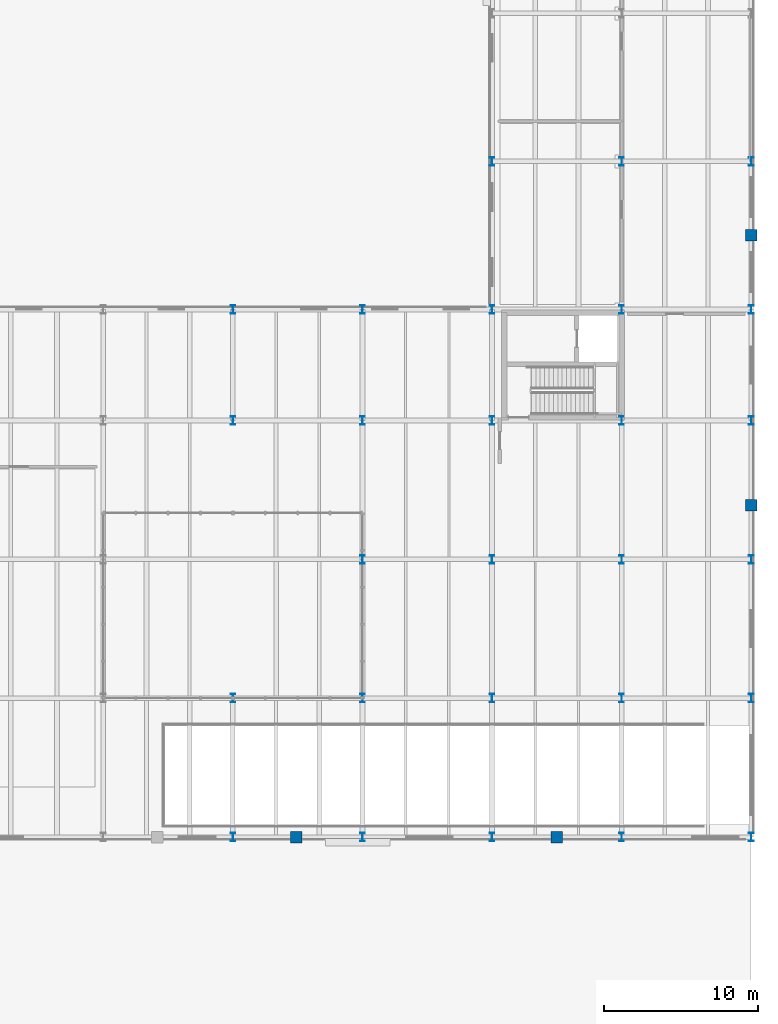
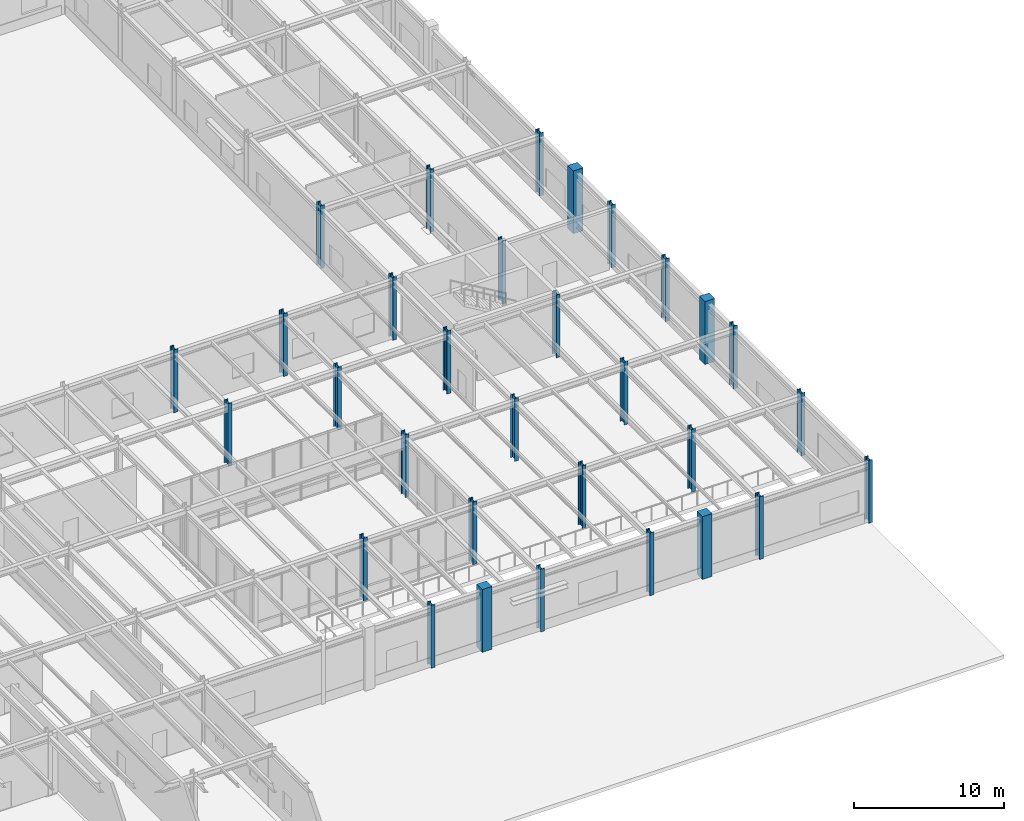
# One storey, part 15 of 64: 31 columns.
"""IFC4 building model written with IfcOpenShell, lengths in metres."""

from ifc_helpers import new_model, si_unit, direction, frame, origin, origin_2d, place, context, subcontext, project, spatial, rectangle, i_section, extrude, material, material_profile, profile_set, type_object, element, save


model = new_model("IFC4")

# Units and contexts
model_context = context("Model", 3, precision=1e-05, world=origin(), true_north=direction((0.0, 1.0)))
body_context = subcontext(model_context, "Body", "Model", "MODEL_VIEW")
ifc_project = project(units=[si_unit("LENGTHUNIT", "METRE"), si_unit("AREAUNIT", "SQUARE_METRE"), si_unit("VOLUMEUNIT", "CUBIC_METRE"), si_unit("PLANEANGLEUNIT", "RADIAN"), si_unit("MASSUNIT", "GRAM", prefix="KILO")], contexts=[model_context])

# Site, building, storey
site_placement = place(None, origin())
site = spatial("IfcSite", under=ifc_project, at=site_placement, CompositionType="ELEMENT")
building_placement = place(site_placement, origin())
building = spatial("IfcBuilding", under=site, at=building_placement, Name="Montealbar Specialist Clinic", CompositionType="ELEMENT")
storey_placement = place(building_placement, origin())
storey = spatial("IfcBuildingStorey", under=building, at=storey_placement, Name="L00", CompositionType="ELEMENT", Elevation=0.0)

# Columns
ifc_material_1 = material(Name="Steel S355", Category="steel")
ifc_material_profile_1 = material_profile(ifc_material_1, i_section(OverallWidth=0.300048828125, OverallDepth=0.550048828125, WebThickness=0.014892578125, FlangeThickness=0.029052734375, FilletRadius=0.027099609375, at=origin_2d()), Name="HEB 550", Category="steel")
ifc_profile_set_1 = profile_set([ifc_material_profile_1], Name="Steel S355")
column_type_1 = type_object("IfcColumnType", Name="COL-S-L00-HVY", PredefinedType="COLUMN", material=ifc_profile_set_1)
for number, where, z_axis, x_axis, name in (
    (1, (128.39990234375, 45.0, 0.0), (0.0, 0.0, 1.0), (1.0, 0.0, 0.0), "Column 17/F L00"),
    (2, (136.800048828125, 45.0, 0.0), (0.0, 0.0, 1.0), (1.0, 0.0, 0.0), "Column 18/F L00"),
    (3, (145.199951171875, 27.0, 0.0), (0.0, 0.0, 1.0), (1.0, 0.0, 0.0), "Column 19/D L00"),
    (4, (145.199951171875, 36.0, 0.0), (0.0, 0.0, 1.0), (1.0, 0.0, 0.0), "Column 19/E L00"),
    (5, (145.199951171875, 45.0, 0.0), (0.0, 0.0, 1.0), (1.0, 0.0, 0.0), "Column 19/F L00"),
    (6, (153.60009765625, 27.0, 0.0), (0.0, 0.0, 1.0), (1.0, 0.0, 0.0), "Column 20/D L00"),
    (7, (153.60009765625, 36.0, 0.0), (0.0, 0.0, 1.0), (1.0, 0.0, 0.0), "Column 20/E L00"),
    (8, (153.60009765625, 45.0, 0.0), (0.0, 0.0, 1.0), (1.0, 0.0, 0.0), "Column 20/F L00"),
    (9, (153.60009765625, 52.199951171875, 0.0), (0.0, 0.0, 1.0), (1.0, 0.0, 0.0), "Column 20/G L00"),
    (10, (153.60009765625, 61.800048828125, 0.0), (0.0, 0.0, 1.0), (1.0, 0.0, 0.0), "Column 20/H L00"),
):
    element("IfcColumn", number, at=place(storey_placement, frame(where, z_axis=z_axis, x_axis=x_axis)), inside=storey, type_object=column_type_1, Name=name, PredefinedType="COLUMN", context=body_context, shape_type="SweptSolid", body=[
        extrude(i_section(OverallWidth=0.300048828125, OverallDepth=0.550048828125, WebThickness=0.014892578125, FlangeThickness=0.029052734375, FilletRadius=0.027099609375, at=origin_2d()), origin(), (0.0, 0.0, 1.0), 5.10009765625),
    ])
ifc_material_profile_2 = material_profile(ifc_material_1, i_section(OverallWidth=0.300048828125, OverallDepth=0.550048828125, WebThickness=0.014892578125, FlangeThickness=0.029052734375, FilletRadius=0.027099609375, at=origin_2d()), Name="HEB 550", Category="steel")
ifc_profile_set_2 = profile_set([ifc_material_profile_2], Name="Steel S355")
column_type_2 = type_object("IfcColumnType", Name="COL-S-L00-HVY-EXT", PredefinedType="COLUMN", material=ifc_profile_set_2)
for number, where, z_axis, x_axis, name in (
    (11, (128.39990234375, 18.0, 0.0), (0.0, 0.0, 1.0), (1.0, 0.0, 0.0), "Column 17/C L00"),
    (12, (128.39990234375, 27.0, 0.0), (0.0, 0.0, 1.0), (1.0, 0.0, 0.0), "Column 17/D L00"),
    (13, (128.39990234375, 52.199951171875, 0.0), (0.0, 0.0, 1.0), (1.0, 0.0, 0.0), "Column 17/G L00"),
    (14, (136.800048828125, 18.0, 0.0), (0.0, 0.0, 1.0), (1.0, 0.0, 0.0), "Column 18/C L00"),
    (15, (136.800048828125, 27.0, 0.0), (0.0, 0.0, 1.0), (1.0, 0.0, 0.0), "Column 18/D L00"),
    (16, (136.800048828125, 36.0, 0.0), (0.0, 0.0, 1.0), (1.0, 0.0, 0.0), "Column 18/E L00"),
    (17, (136.800048828125, 52.199951171875, 0.0), (0.0, 0.0, 1.0), (1.0, 0.0, 0.0), "Column 18/G L00"),
    (18, (145.199951171875, 18.0, 0.0), (0.0, 0.0, 1.0), (1.0, 0.0, 0.0), "Column 19/C L00"),
    (19, (145.199951171875, 52.199951171875, 0.0), (0.0, 0.0, 1.0), (1.0, 0.0, 0.0), "Column 19/G L00"),
    (20, (145.199951171875, 61.800048828125, 0.0), (0.0, 0.0, 1.0), (1.0, 0.0, 0.0), "Column 19/H L00"),
    (21, (153.60009765625, 18.0, 0.0), (0.0, 0.0, 1.0), (1.0, 0.0, 0.0), "Column 20/C L00"),
    (22, (162.0, 18.0, 0.0), (0.0, 0.0, 1.0), (1.0, 0.0, 0.0), "Column 21/C L00"),
    (23, (162.0, 27.0, 0.0), (0.0, 0.0, 1.0), (1.0, 0.0, 0.0), "Column 21/D L00"),
    (24, (162.0, 36.0, 0.0), (0.0, 0.0, 1.0), (1.0, 0.0, 0.0), "Column 21/E L00"),
    (25, (162.0, 45.0, 0.0), (0.0, 0.0, 1.0), (1.0, 0.0, 0.0), "Column 21/F L00"),
    (26, (162.0, 52.199951171875, 0.0), (0.0, 0.0, 1.0), (1.0, 0.0, 0.0), "Column 21/G L00"),
    (27, (162.0, 61.800048828125, 0.0), (0.0, 0.0, 1.0), (1.0, 0.0, 0.0), "Column 21/H L00"),
):
    element("IfcColumn", number, at=place(storey_placement, frame(where, z_axis=z_axis, x_axis=x_axis)), inside=storey, type_object=column_type_2, Name=name, PredefinedType="COLUMN", context=body_context, shape_type="SweptSolid", body=[
        extrude(i_section(OverallWidth=0.300048828125, OverallDepth=0.550048828125, WebThickness=0.014892578125, FlangeThickness=0.029052734375, FilletRadius=0.027099609375, at=origin_2d()), origin(), (0.0, 0.0, 1.0), 5.10009765625),
    ])
ifc_material_2 = material(Name="Guadarrama granite ashlar", Category="masonry")
ifc_material_profile_3 = material_profile(ifc_material_2, rectangle(XDim=0.75, YDim=0.75, at=origin_2d()), Name="GRANITE PILASTER 750x750", Category="masonry")
ifc_profile_set_3 = profile_set([ifc_material_profile_3], Name="Guadarrama granite ashlar")
column_type_3 = type_object("IfcColumnType", Name="PIL-PM-GIANT-EXT", PredefinedType="PILASTER", material=ifc_profile_set_3)
for number, where, z_axis, x_axis, name in (
    (28, (132.5, 18.0, 0.0), (0.0, 0.0, 1.0), (1.0, 0.0, 0.0), "Column SP2/C L00"),
    (29, (149.39990234375, 18.0, 0.0), (0.0, 0.0, 1.0), (1.0, 0.0, 0.0), "Column SP3/C L00"),
    (30, (162.0, 39.5, 0.0), (0.0, 0.0, 1.0), (1.0, 0.0, 0.0), "Column EP1/DE L00"),
    (31, (162.0, 57.0, 0.0), (0.0, 0.0, 1.0), (1.0, 0.0, 0.0), "Column EP2/GH L00"),
):
    element("IfcColumn", number, at=place(storey_placement, frame(where, z_axis=z_axis, x_axis=x_axis)), inside=storey, type_object=column_type_3, Name=name, PredefinedType="PILASTER", context=body_context, shape_type="SweptSolid", body=[
        extrude(rectangle(XDim=0.75, YDim=0.75, at=origin_2d()), origin(), (0.0, 0.0, 1.0), 5.10009765625),
    ])

save(model, "model.ifc")
